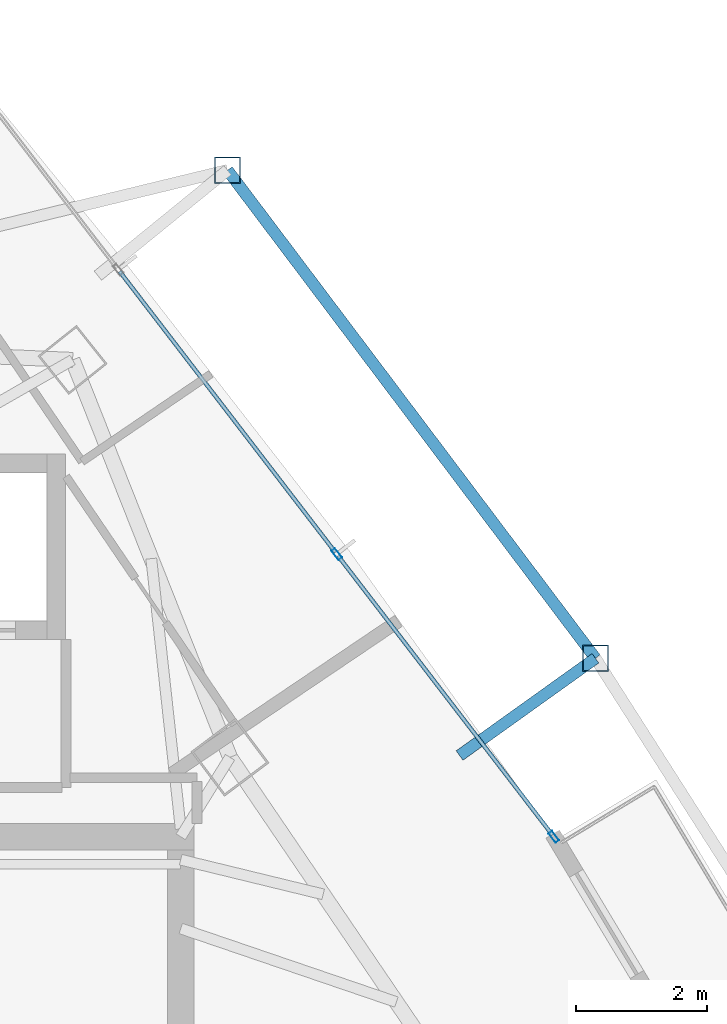
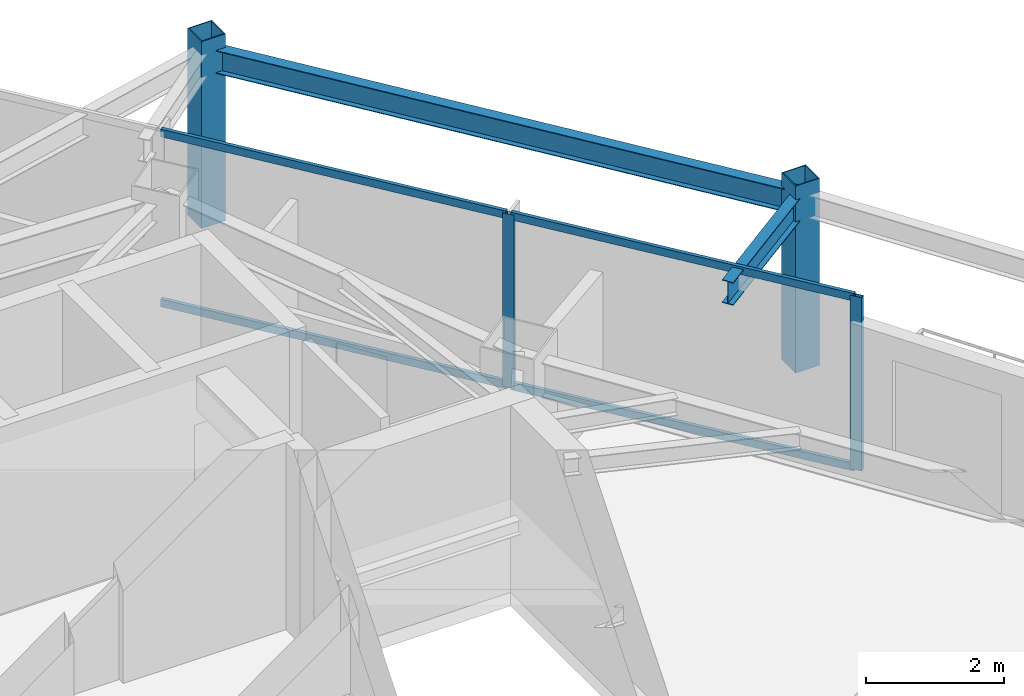
# One storey, part 22 of 29: 8 members, 2 beams, 1 element without a shape of its own.
"""IFC4 building model written with IfcOpenShell, lengths in metres."""

from ifc_helpers import new_model, si_unit, direction, frame, origin, origin_2d, place, context, subcontext, project, spatial, hollow_rectangle, i_section, extrude, material, layer, layer_set, material_profile, profile_set, type_object, element, aggregate, save


model = new_model("IFC4")

# Units and contexts
model_context = context("Model", 3, precision=1e-05, world=origin(), true_north=direction((0.0, 1.0)))
body_context = subcontext(model_context, "Body", "Model", "MODEL_VIEW")
ifc_project = project(units=[si_unit("LENGTHUNIT", "METRE"), si_unit("AREAUNIT", "SQUARE_METRE"), si_unit("VOLUMEUNIT", "CUBIC_METRE"), si_unit("PLANEANGLEUNIT", "RADIAN"), si_unit("MASSUNIT", "GRAM", prefix="KILO")], contexts=[model_context])

# Site, building, storey
site_placement = place(None, origin())
site = spatial("IfcSite", under=ifc_project, at=site_placement, CompositionType="ELEMENT")
building_placement = place(site_placement, origin())
building = spatial("IfcBuilding", under=site, at=building_placement, Name="Orvanel Arch Residences", CompositionType="ELEMENT")
storey_placement = place(building_placement, frame((0.0, 0.0, 163.85009765625)))
storey = spatial("IfcBuildingStorey", under=building, at=storey_placement, Name="L46", CompositionType="ELEMENT", Elevation=163.85009765625)

# Curtain wall, members
ifc_material_1 = material(Name="Bronze-anodised aluminium AA6063-T6", Category="aluminium")
ifc_layer = layer(ifc_material_1, 0.179931640625)
ifc_layer_set = layer_set([ifc_layer], Name="Bronze-anodised aluminium AA6063-T6")
curtain_wall_type = type_object("IfcCurtainWallType", Name="CW3-MID-SYS", PredefinedType="NOTDEFINED", material=ifc_layer_set)
curtain_wall_placement = place(storey_placement, origin())
curtain_wall = element("IfcCurtainWall", 1, at=curtain_wall_placement, inside=storey, type_object=curtain_wall_type, Name="L46 CW3-MID-SYS Unitised Curtain Wall", PredefinedType="NOTDEFINED")
ifc_material_profile_1 = material_profile(ifc_material_1, hollow_rectangle(XDim=0.070068359375, YDim=0.179931640625, WallThickness=0.00439453125, at=origin_2d()), Name="ALU180x70x4.5")
ifc_profile_set_1 = profile_set([ifc_material_profile_1], Name="Bronze-anodised aluminium AA6063-T6")
member_type_1 = type_object("IfcMemberType", Name="MUL-180x70", PredefinedType="MULLION", material=ifc_profile_set_1)
member_1_placement = place(storey_placement, frame((45.294677734375, 33.899658203125, 0.0), z_axis=(0.0, 0.0, 1.0), x_axis=(-0.793094540336, -0.609098555317, 0.0)))
member_1 = element("IfcMember", 2, at=member_1_placement, type_object=member_type_1, Name="CW-S3 mullion 1", PredefinedType="MULLION", context=body_context, shape_type="SweptSolid", body=[
    extrude(hollow_rectangle(XDim=0.070068359375, YDim=0.179931640625, WallThickness=0.00439453125, at=origin_2d()), origin(), (0.0, 0.0, 1.0), 3.059814453125),
])
member_2_placement = place(storey_placement, frame((41.9814453125, 38.214111328125, 0.0), z_axis=(0.0, 0.0, 1.0), x_axis=(-0.793094540336, -0.609098555317, 0.0)))
member_2 = element("IfcMember", 3, at=member_2_placement, type_object=member_type_1, Name="CW-S3 mullion 2", PredefinedType="MULLION", context=body_context, shape_type="SweptSolid", body=[
    extrude(hollow_rectangle(XDim=0.070068359375, YDim=0.179931640625, WallThickness=0.00439453125, at=origin_2d()), origin(), (0.0, 0.0, 1.0), 3.059814453125),
])

# Beams
ifc_material_2 = material(Name="Structural steel AS/NZS 3679.1 Grade 300 (300 MPa)", Category="steel")
ifc_material_profile_2 = material_profile(ifc_material_2, i_section(OverallWidth=0.177978515625, OverallDepth=0.406005859375, WebThickness=0.0078125, FlangeThickness=0.0126953125, at=origin_2d()), Name="410UB59.7")
ifc_profile_set_2 = profile_set([ifc_material_profile_2], Name="Structural steel AS/NZS 3679.1 Grade 300 (300 MPa)")
beam_type = type_object("IfcBeamType", Name="OB-410UB-EXT", PredefinedType="SPANDREL", material=ifc_profile_set_2)
beam_1_placement = place(storey_placement, frame((43.85595703125, 35.139892578125, 2.85693359375), z_axis=(0.813228640258, 0.581944308903, 0.0), x_axis=(-0.581944308903, 0.813228640258, 0.0)))
element("IfcBeam", 4, at=beam_1_placement, inside=storey, type_object=beam_type, Name="L46 Outer Frame Radial Tie Beam 11", PredefinedType="SPANDREL", context=body_context, shape_type="SweptSolid", body=[
    extrude(i_section(OverallWidth=0.177978515625, OverallDepth=0.406005859375, WebThickness=0.0078125, FlangeThickness=0.0126953125, at=origin_2d()), origin(), (0.0, 0.0, 1.0), 2.55029296875),
])
beam_2_placement = place(storey_placement, frame((45.929931640625, 36.6240234375, 2.85693359375), z_axis=(-0.601937083038, 0.7985435167, 0.0), x_axis=(-0.7985435167, -0.601937083038, 0.0)))
element("IfcBeam", 5, at=beam_2_placement, inside=storey, type_object=beam_type, Name="L46 Outer Perimeter Floor Ring Beam 11", PredefinedType="SPANDREL", context=body_context, shape_type="SweptSolid", body=[
    extrude(i_section(OverallWidth=0.177978515625, OverallDepth=0.406005859375, WebThickness=0.0078125, FlangeThickness=0.0126953125, at=origin_2d()), origin(), (0.0, 0.0, 1.0), 9.328125),
])

# Members
ifc_material_3 = material(Name="Structural steel AS/NZS 1163 C450L0 (Grade 450)", Category="steel")
ifc_material_profile_3 = material_profile(ifc_material_3, hollow_rectangle(XDim=0.39990234375, YDim=0.39990234375, WallThickness=0.01611328125, at=origin_2d()), Name="SHS400x400x16")
ifc_profile_set_3 = profile_set([ifc_material_profile_3], Name="Structural steel AS/NZS 1163 C450L0 (Grade 450)")
member_type_2 = type_object("IfcMemberType", Name="ST-400SHS-EXT", PredefinedType="STRUT", material=ifc_profile_set_3)
for number, where, z_axis, x_axis, name in (
    (6, (45.929931640625, 36.6240234375, 0.0), (0.0, 0.0, 1.0), (1.0, 0.0, 0.0), "L46 Outer Perimeter Frame Post 11"),
    (7, (40.31494140625, 44.072998046875, 0.0), (0.0, 0.0, 1.0), (1.0, 0.0, 0.0), "L46 Outer Perimeter Frame Post 12"),
):
    element("IfcMember", number, at=place(storey_placement, frame(where, z_axis=z_axis, x_axis=x_axis)), inside=storey, type_object=member_type_2, Name=name, PredefinedType="STRUT", context=body_context, shape_type="SweptSolid", body=[
        extrude(hollow_rectangle(XDim=0.39990234375, YDim=0.39990234375, WallThickness=0.01611328125, at=origin_2d()), origin(), (0.0, 0.0, 1.0), 3.2998046875),
    ])

# Member
ifc_material_profile_4 = material_profile(ifc_material_1, hollow_rectangle(XDim=0.06005859375, YDim=0.135009765625, WallThickness=0.00390625, at=origin_2d()), Name="ALU135x60x4")
ifc_profile_set_4 = profile_set([ifc_material_profile_4], Name="Bronze-anodised aluminium AA6063-T6")
member_type_3 = type_object("IfcMemberType", Name="TRN-135x60", PredefinedType="USERDEFINED", material=ifc_profile_set_4)
member_3_placement = place(storey_placement, frame((45.2734375, 33.927490234375, 0.02978515625), z_axis=(-0.609097558593, 0.793095305822, 0.0), x_axis=(-0.793095305822, -0.609097558593, 0.0)))
member_3 = element("IfcMember", 8, at=member_3_placement, type_object=member_type_3, Name="CW-S3 transom 1.1", ObjectType="TRANSOM", PredefinedType="USERDEFINED", context=body_context, shape_type="SweptSolid", body=[
    extrude(hollow_rectangle(XDim=0.06005859375, YDim=0.135009765625, WallThickness=0.00390625, at=origin_2d()), origin(), (0.0, 0.0, 1.0), 5.369873046875),
])

member_4_placement = place(storey_placement, frame((45.2734375, 33.927490234375, 3.02978515625), z_axis=(-0.609097558593, 0.793095305822, 0.0), x_axis=(-0.793095305822, -0.609097558593, 0.0)))
member_4 = element("IfcMember", 9, at=member_4_placement, type_object=member_type_3, Name="CW-S3 transom 1.2", ObjectType="TRANSOM", PredefinedType="USERDEFINED", context=body_context, shape_type="SweptSolid", body=[
    extrude(hollow_rectangle(XDim=0.06005859375, YDim=0.135009765625, WallThickness=0.00390625, at=origin_2d()), origin(), (0.0, 0.0, 1.0), 5.369873046875),
])

member_5_placement = place(storey_placement, frame((41.9599609375, 38.24169921875, 0.02978515625), z_axis=(-0.609081873352, 0.793107351847, 0.0), x_axis=(-0.793107351847, -0.609081873352, 0.0)))
member_5 = element("IfcMember", 10, at=member_5_placement, type_object=member_type_3, Name="CW-S3 transom 2.1", ObjectType="TRANSOM", PredefinedType="USERDEFINED", context=body_context, shape_type="SweptSolid", body=[
    extrude(hollow_rectangle(XDim=0.06005859375, YDim=0.135009765625, WallThickness=0.00390625, at=origin_2d()), origin(), (0.0, 0.0, 1.0), 5.40478515625),
])

member_6_placement = place(storey_placement, frame((41.9599609375, 38.24169921875, 3.02978515625), z_axis=(-0.609081873352, 0.793107351847, 0.0), x_axis=(-0.793107351847, -0.609081873352, 0.0)))
member_6 = element("IfcMember", 11, at=member_6_placement, type_object=member_type_3, Name="CW-S3 transom 2.2", ObjectType="TRANSOM", PredefinedType="USERDEFINED", context=body_context, shape_type="SweptSolid", body=[
    extrude(hollow_rectangle(XDim=0.06005859375, YDim=0.135009765625, WallThickness=0.00390625, at=origin_2d()), origin(), (0.0, 0.0, 1.0), 5.40478515625),
])

aggregate(curtain_wall, [member_1, member_2, member_3, member_4, member_5, member_6])

save(model, "model.ifc")
